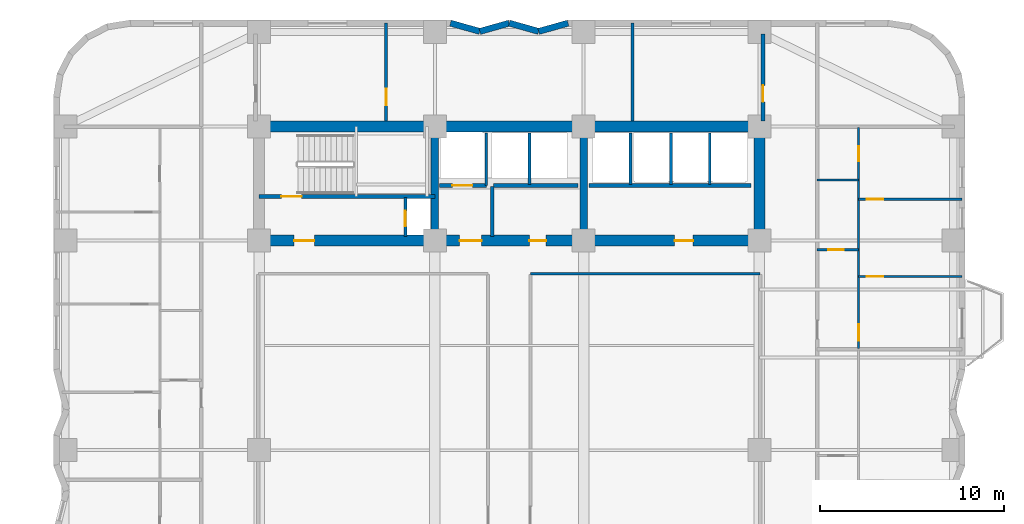
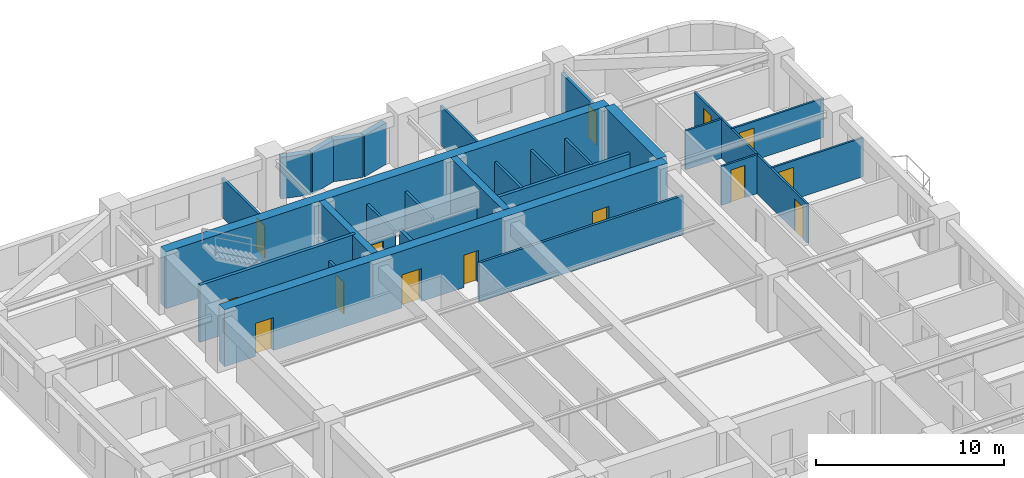
# One storey, part 6 of 9: 29 walls, 14 doors, 14 openings.
"""IFC4 building model written with IfcOpenShell, lengths in metres."""

from ifc_helpers import new_model, si_unit, direction, frame, frame_2d, origin, place, context, subcontext, project, spatial, rectangle, extrude, material, layer, layer_set, type_object, element, fill, save


model = new_model("IFC4")

# Units and contexts
model_context = context("Model", 3, precision=1e-05, world=origin(), true_north=direction((0.0, 1.0)))
body_context = subcontext(model_context, "Body", "Model", "MODEL_VIEW")
ifc_project = project(units=[si_unit("LENGTHUNIT", "METRE"), si_unit("AREAUNIT", "SQUARE_METRE"), si_unit("VOLUMEUNIT", "CUBIC_METRE"), si_unit("PLANEANGLEUNIT", "RADIAN"), si_unit("MASSUNIT", "GRAM", prefix="KILO")], contexts=[model_context])

# Site, building, storey
site_placement = place(None, origin())
site = spatial("IfcSite", under=ifc_project, at=site_placement, CompositionType="ELEMENT")
building_placement = place(site_placement, origin())
building = spatial("IfcBuilding", under=site, at=building_placement, Name="Svetorya Sky Lyceum", CompositionType="ELEMENT")
storey_placement = place(building_placement, frame((0.0, 0.0, 28.800048828125)))
storey = spatial("IfcBuildingStorey", under=building, at=storey_placement, Name="L06", CompositionType="ELEMENT", Elevation=28.800048828125)

# Walls
ifc_material_1 = material(Name="Concrete C40/50", Category="concrete")
ifc_layer_1 = layer(ifc_material_1, 0.39990234375)
ifc_layer_set_1 = layer_set([ifc_layer_1], Name="Concrete C40/50")
wall_type_1 = type_object("IfcWallType", Name="WL-CORE-400", PredefinedType="SHEAR", material=ifc_layer_set_1)
for number, where, z_axis, x_axis, name in (
    (1, (35.14990234375, 39.89990234375, 0.0), (0.0, 0.0, 1.0), (0.0, 1.0, 0.0), "L06 NC Internal Shear Web WEB1"),
    (2, (43.25, 39.89990234375, 0.0), (0.0, 0.0, 1.0), (0.0, 1.0, 0.0), "L06 NC Internal Shear Web WEB2"),
):
    element("IfcWall", number, at=place(storey_placement, frame(where, z_axis=z_axis, x_axis=x_axis)), inside=storey, type_object=wall_type_1, Name=name, PredefinedType="SHEAR", context=body_context, shape_type="SweptSolid", body=[
        extrude(rectangle(XDim=5.60009765625, YDim=0.39990234375, at=frame_2d((2.800048828125, 0.0))), origin(), (0.0, 0.0, 1.0), 3.699951171875),
    ])
ifc_material_2 = material(Name="Concrete C60/75", Category="concrete")
ifc_layer_2 = layer(ifc_material_2, 0.60009765625)
ifc_layer_set_2 = layer_set([ifc_layer_2], Name="Concrete C60/75")
wall_type_2 = type_object("IfcWallType", Name="WL-CORE-600", PredefinedType="SHEAR", material=ifc_layer_set_2)
wall_1_placement = place(storey_placement, frame((25.60009765625, 45.800048828125, 0.0), z_axis=(0.0, 0.0, 1.0), x_axis=(1.0, 0.0, 0.0)))
element("IfcWall", 3, at=wall_1_placement, inside=storey, type_object=wall_type_2, Name="L06 NC Outer Core Shear Wall", PredefinedType="SHEAR", context=body_context, shape_type="SweptSolid", body=[
    extrude(rectangle(XDim=27.199951171875, YDim=0.60009765625, at=frame_2d((13.60009765625, 0.0))), origin(), (0.0, 0.0, 1.0), 3.699951171875),
])
wall_2_placement = place(storey_placement, frame((52.800048828125, 39.89990234375, 0.0), z_axis=(0.0, 0.0, 1.0), x_axis=(0.0, 1.0, 0.0)))
element("IfcWall", 4, at=wall_2_placement, inside=storey, type_object=wall_type_2, Name="L06 NC East Core Shear Wall", PredefinedType="SHEAR", context=body_context, shape_type="SweptSolid", body=[
    extrude(rectangle(XDim=5.60009765625, YDim=0.60009765625, at=frame_2d((2.800048828125, 0.0))), origin(), (0.0, 0.0, 1.0), 3.699951171875),
])

# Wall, openings, doors
wall_3_placement = place(storey_placement, frame((52.800048828125, 39.60009765625, 0.0), z_axis=(0.0, 0.0, 1.0), x_axis=(-1.0, 0.0, 0.0)))
wall_3 = element("IfcWall", 5, at=wall_3_placement, inside=storey, type_object=wall_type_2, Name="L06 NC Inner Core Shear Wall", PredefinedType="SHEAR", context=body_context, shape_type="SweptSolid", body=[
    extrude(rectangle(XDim=27.199951171875, YDim=0.60009765625, at=frame_2d((13.60009765625, 0.0))), origin(), (0.0, 0.0, 1.0), 3.699951171875),
])
opening_1_placement = place(wall_3_placement, frame((24.199951171875, 0.0, 0.0)))
opening_1 = element("IfcOpeningElement", 6, at=opening_1_placement, cuts=wall_3, Name="Opening D-ST1", PredefinedType="OPENING", context=body_context, shape_type="SweptSolid", body=[
    extrude(rectangle(XDim=1.10009765625, YDim=2.14990234375, at=frame_2d((0.550048828125, 1.074951171875))), frame((0.0, 0.31005859375, 0.0), z_axis=(0.0, -1.0, 0.0), x_axis=(1.0, 0.0, 0.0)), (0.0, 0.0, 1.0), 0.6201171875),
])
opening_2_placement = place(wall_3_placement, frame((15.10009765625, 0.0, 0.0)))
opening_2 = element("IfcOpeningElement", 7, at=opening_2_placement, cuts=wall_3, Name="Opening D-FL1", PredefinedType="OPENING", context=body_context, shape_type="SweptSolid", body=[
    extrude(rectangle(XDim=1.199951171875, YDim=2.14990234375, at=frame_2d((0.60009765625, 1.074951171875))), frame((0.0, 0.31005859375, 0.0), z_axis=(0.0, -1.0, 0.0), x_axis=(1.0, 0.0, 0.0)), (0.0, 0.0, 1.0), 0.6201171875),
])
opening_3_placement = place(wall_3_placement, frame((11.60009765625, 0.0, 0.0)))
opening_3 = element("IfcOpeningElement", 8, at=opening_3_placement, cuts=wall_3, Name="Opening D-RM1", PredefinedType="OPENING", context=body_context, shape_type="SweptSolid", body=[
    extrude(rectangle(XDim=0.89990234375, YDim=2.10009765625, at=frame_2d((0.449951171875, 1.050048828125))), frame((0.0, 0.31005859375, 0.0), z_axis=(0.0, -1.0, 0.0), x_axis=(1.0, 0.0, 0.0)), (0.0, 0.0, 1.0), 0.6201171875),
])
opening_4_placement = place(wall_3_placement, frame((3.60009765625, 0.0, 0.0)))
opening_4 = element("IfcOpeningElement", 9, at=opening_4_placement, cuts=wall_3, Name="Opening D-RM2", PredefinedType="OPENING", context=body_context, shape_type="SweptSolid", body=[
    extrude(rectangle(XDim=1.0, YDim=2.14990234375, at=frame_2d((0.5, 1.074951171875))), frame((0.0, 0.31005859375, 0.0), z_axis=(0.0, -1.0, 0.0), x_axis=(1.0, 0.0, 0.0)), (0.0, 0.0, 1.0), 0.6201171875),
])
ifc_material_3 = material(Name="Powder-coated insulated galvanized stair fire door")
door_type_1 = type_object("IfcDoorType", Name="DR-FIRE-1100", OperationType="SINGLE_SWING_LEFT", PredefinedType="DOOR", material=ifc_material_3)
door_1_placement = place(opening_1_placement, origin())
door_1 = element("IfcDoor", 10, at=door_1_placement, inside=storey, type_object=door_type_1, Name="L06 North Stair Airlock Door", OperationType="SINGLE_SWING_LEFT", OverallHeight=2.14990234375, OverallWidth=1.10009765625, PredefinedType="DOOR", context=body_context, shape_type="SweptSolid", body=[
    extrude(rectangle(XDim=1.10009765625, YDim=2.14990234375, at=frame_2d((0.550048828125, 1.074951171875))), frame((0.0, 0.02490234375, 0.0), z_axis=(0.0, -1.0, 0.0), x_axis=(1.0, 0.0, 0.0)), (0.0, 0.0, 1.0), 0.050048828125),
])
fill(opening_1, door_1)
ifc_material_4 = material(Name="Powder-coated insulated galvanized fire door")
door_type_2 = type_object("IfcDoorType", Name="DR-FIRE-1200", OperationType="SINGLE_SWING_LEFT", PredefinedType="DOOR", material=ifc_material_4)
door_2_placement = place(opening_2_placement, origin())
door_2 = element("IfcDoor", 11, at=door_2_placement, inside=storey, type_object=door_type_2, Name="L06 North Firefighting Lift Lobby Door", OperationType="SINGLE_SWING_RIGHT", OverallHeight=2.14990234375, OverallWidth=1.199951171875, PredefinedType="DOOR", context=body_context, shape_type="SweptSolid", body=[
    extrude(rectangle(XDim=1.199951171875, YDim=2.14990234375, at=frame_2d((0.60009765625, 1.074951171875))), frame((0.0, 0.02490234375, 0.0), z_axis=(0.0, -1.0, 0.0), x_axis=(1.0, 0.0, 0.0)), (0.0, 0.0, 1.0), 0.050048828125),
])
fill(opening_2, door_2)
ifc_material_5 = material(Name="Solid-core oak acoustic room door")
door_type_3 = type_object("IfcDoorType", Name="DR-INT-1000", OperationType="SINGLE_SWING_LEFT", PredefinedType="DOOR", material=ifc_material_5)
door_3_placement = place(opening_4_placement, origin())
door_3 = element("IfcDoor", 12, at=door_3_placement, inside=storey, type_object=door_type_3, Name="L06 North Trunk Store Door", OperationType="SINGLE_SWING_LEFT", OverallHeight=2.14990234375, OverallWidth=1.0, PredefinedType="DOOR", context=body_context, shape_type="SweptSolid", body=[
    extrude(rectangle(XDim=1.0, YDim=2.14990234375, at=frame_2d((0.5, 1.074951171875))), frame((0.0, 0.02490234375, 0.0), z_axis=(0.0, -1.0, 0.0), x_axis=(1.0, 0.0, 0.0)), (0.0, 0.0, 1.0), 0.050048828125),
])
fill(opening_4, door_3)
ifc_material_6 = material(Name="Lacquered birch veneer internal door")
door_type_4 = type_object("IfcDoorType", Name="DR-INT-900", OperationType="SINGLE_SWING_LEFT", PredefinedType="DOOR", material=ifc_material_6)
door_4_placement = place(opening_3_placement, origin())
door_4 = element("IfcDoor", 13, at=door_4_placement, inside=storey, type_object=door_type_4, Name="L06 North Equipment Store Door", OperationType="SINGLE_SWING_LEFT", OverallHeight=2.10009765625, OverallWidth=0.89990234375, PredefinedType="DOOR", context=body_context, shape_type="SweptSolid", body=[
    extrude(rectangle(XDim=0.89990234375, YDim=2.10009765625, at=frame_2d((0.449951171875, 1.050048828125))), frame((0.0, 0.02490234375, 0.0), z_axis=(0.0, -1.0, 0.0), x_axis=(1.0, 0.0, 0.0)), (0.0, 0.0, 1.0), 0.050048828125),
])
fill(opening_3, door_4)

# Walls
ifc_material_7 = material(Name="Putilovo limestone rainscreen on autoclaved cellular masonry", Category="masonry")
ifc_layer_3 = layer(ifc_material_7, 0.340087890625)
ifc_layer_set_3 = layer_set([ifc_layer_3], Name="Putilovo limestone rainscreen on autoclaved cellular masonry")
wall_type_3 = type_object("IfcWallType", Name="WL-EXT-340", PredefinedType="SOLIDWALL", material=ifc_layer_set_3)
wall_4_placement = place(storey_placement, frame((42.39990234375, 51.429931640625, 0.0), z_axis=(0.0, 0.0, 1.0), x_axis=(-0.962652136636, -0.270741322725, 0.0)))
element("IfcWall", 14, at=wall_4_placement, inside=storey, type_object=wall_type_3, Name="L06 Limestone Exterior Wall 30M", PredefinedType="SOLIDWALL", context=body_context, shape_type="SweptSolid", body=[
    extrude(rectangle(XDim=1.661865234375, YDim=0.340087890625, at=frame_2d((0.8310546875, 0.0))), origin(), (0.0, 0.0, 1.0), 2.699951171875),
])
wall_5_placement = place(storey_placement, frame((40.800048828125, 50.97998046875, 0.0), z_axis=(0.0, 0.0, 1.0), x_axis=(-0.962662902433, 0.270703040766, 0.0)))
element("IfcWall", 15, at=wall_5_placement, inside=storey, type_object=wall_type_3, Name="L06 Limestone Exterior Wall 31M", PredefinedType="SOLIDWALL", context=body_context, shape_type="SweptSolid", body=[
    extrude(rectangle(XDim=1.662109375, YDim=0.340087890625, at=frame_2d((0.8310546875, 0.0))), origin(), (0.0, 0.0, 1.0), 2.699951171875),
])
wall_6_placement = place(storey_placement, frame((39.199951171875, 51.429931640625, 0.0), z_axis=(0.0, 0.0, 1.0), x_axis=(-0.962652136636, -0.270741322725, 0.0)))
element("IfcWall", 16, at=wall_6_placement, inside=storey, type_object=wall_type_3, Name="L06 Limestone Exterior Wall 32M", PredefinedType="SOLIDWALL", context=body_context, shape_type="SweptSolid", body=[
    extrude(rectangle(XDim=1.661865234375, YDim=0.340087890625, at=frame_2d((0.8310546875, 0.0))), origin(), (0.0, 0.0, 1.0), 2.699951171875),
])
wall_7_placement = place(storey_placement, frame((37.60009765625, 50.97998046875, 0.0), z_axis=(0.0, 0.0, 1.0), x_axis=(-0.962662902433, 0.270703040766, 0.0)))
element("IfcWall", 17, at=wall_7_placement, inside=storey, type_object=wall_type_3, Name="L06 Limestone Exterior Wall 33M", PredefinedType="SOLIDWALL", context=body_context, shape_type="SweptSolid", body=[
    extrude(rectangle(XDim=1.662109375, YDim=0.340087890625, at=frame_2d((0.8310546875, 0.0))), origin(), (0.0, 0.0, 1.0), 2.699951171875),
])

# Wall, opening, door
ifc_material_8 = material(Name="Twin-stud galvanized framing with double fireboard", Category="gypsum")
ifc_layer_4 = layer(ifc_material_8, 0.1201171875)
ifc_layer_set_4 = layer_set([ifc_layer_4], Name="Twin-stud galvanized framing with double fireboard")
wall_type_4 = type_object("IfcWallType", Name="WL-PART-120", PredefinedType="PARTITIONING", material=ifc_layer_set_4)
wall_8_placement = place(storey_placement, frame((55.949951171875, 39.10009765625, 0.0), z_axis=(0.0, 0.0, 1.0), x_axis=(1.0, 0.0, 0.0)))
wall_8 = element("IfcWall", 18, at=wall_8_placement, inside=storey, type_object=wall_type_4, Name="L06 Interior Partition E3-WH1", PredefinedType="PARTITIONING", context=body_context, shape_type="SweptSolid", body=[
    extrude(rectangle(XDim=2.25, YDim=0.1201171875, at=frame_2d((1.125, 0.0))), origin(), (0.0, 0.0, 1.0), 2.530029296875),
])
opening_5_placement = place(wall_8_placement, frame((0.60009765625, 0.0, 0.0)))
opening_5 = element("IfcOpeningElement", 19, at=opening_5_placement, cuts=wall_8, Name="Opening D-BT1", PredefinedType="OPENING", context=body_context, shape_type="SweptSolid", body=[
    extrude(rectangle(XDim=0.85009765625, YDim=2.10009765625, at=frame_2d((0.425048828125, 1.050048828125))), frame((0.0, 0.070068359375, 0.0), z_axis=(0.0, -1.0, 0.0), x_axis=(1.0, 0.0, 0.0)), (0.0, 0.0, 1.0), 0.14013671875),
])
ifc_material_9 = material(Name="Moisture-resistant laminate bathroom door")
door_type_5 = type_object("IfcDoorType", Name="DR-WET-850", OperationType="SINGLE_SWING_LEFT", PredefinedType="DOOR", material=ifc_material_9)
door_5_placement = place(opening_5_placement, origin())
door_5 = element("IfcDoor", 20, at=door_5_placement, inside=storey, type_object=door_type_5, Name="Apartment E3 Bathroom Door", OperationType="SINGLE_SWING_RIGHT", OverallHeight=2.10009765625, OverallWidth=0.85009765625, PredefinedType="DOOR", context=body_context, shape_type="SweptSolid", body=[
    extrude(rectangle(XDim=0.85009765625, YDim=2.10009765625, at=frame_2d((0.425048828125, 1.050048828125))), frame((0.0, 0.02490234375, 0.0), z_axis=(0.0, -1.0, 0.0), x_axis=(1.0, 0.0, 0.0)), (0.0, 0.0, 1.0), 0.050048828125),
])
fill(opening_5, door_5)

# Wall
wall_9_placement = place(storey_placement, frame((55.949951171875, 42.89990234375, 0.0), z_axis=(0.0, 0.0, 1.0), x_axis=(1.0, 0.0, 0.0)))
element("IfcWall", 21, at=wall_9_placement, inside=storey, type_object=wall_type_4, Name="L06 Interior Partition E3-WH2", PredefinedType="PARTITIONING", context=body_context, shape_type="SweptSolid", body=[
    extrude(rectangle(XDim=2.25, YDim=0.1201171875, at=frame_2d((1.125, 0.0))), origin(), (0.0, 0.0, 1.0), 2.530029296875),
])

# Wall, opening, door
wall_10_placement = place(storey_placement, frame((58.199951171875, 37.64990234375, 0.0), z_axis=(0.0, 0.0, 1.0), x_axis=(1.0, 0.0, 0.0)))
wall_10 = element("IfcWall", 22, at=wall_10_placement, inside=storey, type_object=wall_type_4, Name="L06 Interior Partition E3-WL1", PredefinedType="PARTITIONING", context=body_context, shape_type="SweptSolid", body=[
    extrude(rectangle(XDim=5.630126953125, YDim=0.1201171875, at=frame_2d((2.81494140625, 0.0))), origin(), (0.0, 0.0, 1.0), 2.530029296875),
])
opening_6_placement = place(wall_10_placement, frame((0.449951171875, 0.0, 0.0)))
opening_6 = element("IfcOpeningElement", 23, at=opening_6_placement, cuts=wall_10, Name="Opening D-RM1", PredefinedType="OPENING", context=body_context, shape_type="SweptSolid", body=[
    extrude(rectangle(XDim=0.89990234375, YDim=2.10009765625, at=frame_2d((0.449951171875, 1.050048828125))), frame((0.0, 0.070068359375, 0.0), z_axis=(0.0, -1.0, 0.0), x_axis=(1.0, 0.0, 0.0)), (0.0, 0.0, 1.0), 0.14013671875),
])
door_6_placement = place(opening_6_placement, origin())
door_6 = element("IfcDoor", 24, at=door_6_placement, inside=storey, type_object=door_type_4, Name="Apartment E3 Master Bedroom Door", OperationType="SINGLE_SWING_RIGHT", OverallHeight=2.10009765625, OverallWidth=0.89990234375, PredefinedType="DOOR", context=body_context, shape_type="SweptSolid", body=[
    extrude(rectangle(XDim=0.89990234375, YDim=2.10009765625, at=frame_2d((0.449951171875, 1.050048828125))), frame((0.0, 0.02490234375, 0.0), z_axis=(0.0, -1.0, 0.0), x_axis=(1.0, 0.0, 0.0)), (0.0, 0.0, 1.0), 0.050048828125),
])
fill(opening_6, door_6)

wall_11_placement = place(storey_placement, frame((58.199951171875, 41.85009765625, 0.0), z_axis=(0.0, 0.0, 1.0), x_axis=(1.0, 0.0, 0.0)))
wall_11 = element("IfcWall", 25, at=wall_11_placement, inside=storey, type_object=wall_type_4, Name="L06 Interior Partition E3-WL2", PredefinedType="PARTITIONING", context=body_context, shape_type="SweptSolid", body=[
    extrude(rectangle(XDim=5.630126953125, YDim=0.1201171875, at=frame_2d((2.81494140625, 0.0))), origin(), (0.0, 0.0, 1.0), 2.530029296875),
])
opening_7_placement = place(wall_11_placement, frame((0.449951171875, 0.0, 0.0)))
opening_7 = element("IfcOpeningElement", 26, at=opening_7_placement, cuts=wall_11, Name="Opening D-RM1", PredefinedType="OPENING", context=body_context, shape_type="SweptSolid", body=[
    extrude(rectangle(XDim=0.89990234375, YDim=2.10009765625, at=frame_2d((0.449951171875, 1.050048828125))), frame((0.0, 0.070068359375, 0.0), z_axis=(0.0, -1.0, 0.0), x_axis=(1.0, 0.0, 0.0)), (0.0, 0.0, 1.0), 0.14013671875),
])
door_7_placement = place(opening_7_placement, origin())
door_7 = element("IfcDoor", 27, at=door_7_placement, inside=storey, type_object=door_type_4, Name="Apartment E3 Bedroom 2 Door", OperationType="SINGLE_SWING_LEFT", OverallHeight=2.10009765625, OverallWidth=0.89990234375, PredefinedType="DOOR", context=body_context, shape_type="SweptSolid", body=[
    extrude(rectangle(XDim=0.89990234375, YDim=2.10009765625, at=frame_2d((0.449951171875, 1.050048828125))), frame((0.0, 0.02490234375, 0.0), z_axis=(0.0, -1.0, 0.0), x_axis=(1.0, 0.0, 0.0)), (0.0, 0.0, 1.0), 0.050048828125),
])
fill(opening_7, door_7)

# Wall, openings, doors
wall_12_placement = place(storey_placement, frame((58.199951171875, 33.739990234375, 0.0), z_axis=(0.0, 0.0, 1.0), x_axis=(0.0, 1.0, 0.0)))
wall_12 = element("IfcWall", 28, at=wall_12_placement, inside=storey, type_object=wall_type_4, Name="L06 Interior Partition E3-WV", PredefinedType="PARTITIONING", context=body_context, shape_type="SweptSolid", body=[
    extrude(rectangle(XDim=12.02001953125, YDim=0.1201171875, at=frame_2d((6.010009765625, 0.0))), origin(), (0.0, 0.0, 1.0), 2.530029296875),
])
opening_8_placement = place(wall_12_placement, frame((0.409912109375, 0.0, 0.0)))
opening_8 = element("IfcOpeningElement", 29, at=opening_8_placement, cuts=wall_12, Name="Opening D-RM1", PredefinedType="OPENING", context=body_context, shape_type="SweptSolid", body=[
    extrude(rectangle(XDim=0.89990234375, YDim=2.10009765625, at=frame_2d((0.449951171875, 1.050048828125))), frame((0.0, 0.070068359375, 0.0), z_axis=(0.0, -1.0, 0.0), x_axis=(1.0, 0.0, 0.0)), (0.0, 0.0, 1.0), 0.14013671875),
])
opening_9_placement = place(wall_12_placement, frame((10.18505859375, 0.0, 0.0)))
opening_9 = element("IfcOpeningElement", 30, at=opening_9_placement, cuts=wall_12, Name="Opening D-BT2", PredefinedType="OPENING", context=body_context, shape_type="SweptSolid", body=[
    extrude(rectangle(XDim=0.820068359375, YDim=2.080078125, at=frame_2d((0.41015625, 1.0400390625))), frame((0.0, 0.070068359375, 0.0), z_axis=(0.0, -1.0, 0.0), x_axis=(1.0, 0.0, 0.0)), (0.0, 0.0, 1.0), 0.14013671875),
])
door_8_placement = place(opening_8_placement, origin())
door_8 = element("IfcDoor", 31, at=door_8_placement, inside=storey, type_object=door_type_4, Name="Apartment E3 Living Door", OperationType="SINGLE_SWING_LEFT", OverallHeight=2.10009765625, OverallWidth=0.89990234375, PredefinedType="DOOR", context=body_context, shape_type="SweptSolid", body=[
    extrude(rectangle(XDim=0.89990234375, YDim=2.10009765625, at=frame_2d((0.449951171875, 1.050048828125))), frame((0.0, 0.02490234375, 0.0), z_axis=(0.0, -1.0, 0.0), x_axis=(1.0, 0.0, 0.0)), (0.0, 0.0, 1.0), 0.050048828125),
])
fill(opening_8, door_8)
ifc_material_10 = material(Name="Compact moisture-resistant laminate closet door")
door_type_6 = type_object("IfcDoorType", Name="DR-WET-820", OperationType="SINGLE_SWING_LEFT", PredefinedType="DOOR", material=ifc_material_10)
door_9_placement = place(opening_9_placement, origin())
door_9 = element("IfcDoor", 32, at=door_9_placement, inside=storey, type_object=door_type_6, Name="Apartment E3 Study Door", OperationType="SINGLE_SWING_RIGHT", OverallHeight=2.080078125, OverallWidth=0.820068359375, PredefinedType="DOOR", context=body_context, shape_type="SweptSolid", body=[
    extrude(rectangle(XDim=0.820068359375, YDim=2.080078125, at=frame_2d((0.41015625, 1.0400390625))), frame((0.0, 0.02490234375, 0.0), z_axis=(0.0, -1.0, 0.0), x_axis=(1.0, 0.0, 0.0)), (0.0, 0.0, 1.0), 0.050048828125),
])
fill(opening_9, door_9)

# Wall, opening, door
ifc_material_11 = material(Name="Autoclaved cellular masonry blockwork with acoustic render", Category="masonry")
ifc_layer_5 = layer(ifc_material_11, 0.14990234375)
ifc_layer_set_5 = layer_set([ifc_layer_5], Name="Autoclaved cellular masonry blockwork with acoustic render")
wall_type_5 = type_object("IfcWallType", Name="WL-PART-150", PredefinedType="PARTITIONING", material=ifc_layer_set_5)
wall_13_placement = place(storey_placement, frame((33.550048828125, 39.820068359375, 0.0), z_axis=(0.0, 0.0, 1.0), x_axis=(0.0, 1.0, 0.0)))
wall_13 = element("IfcWall", 33, at=wall_13_placement, inside=storey, type_object=wall_type_5, Name="L06 Interior Partition NC-RSRW", PredefinedType="PARTITIONING", context=body_context, shape_type="SweptSolid", body=[
    extrude(rectangle(XDim=2.1298828125, YDim=0.14990234375, at=frame_2d((1.06494140625, 0.0))), origin(), (0.0, 0.0, 1.0), 2.530029296875),
])
opening_10_placement = place(wall_13_placement, frame((0.550048828125, 0.0, 0.0)))
opening_10 = element("IfcOpeningElement", 34, at=opening_10_placement, cuts=wall_13, Name="Opening D-SH1", PredefinedType="OPENING", context=body_context, shape_type="SweptSolid", body=[
    extrude(rectangle(XDim=0.85009765625, YDim=2.050048828125, at=frame_2d((0.425048828125, 1.02490234375))), frame((0.0, 0.0849609375, 0.0), z_axis=(0.0, -1.0, 0.0), x_axis=(1.0, 0.0, 0.0)), (0.0, 0.0, 1.0), 0.169921875),
])
ifc_material_12 = material(Name="Insulated galvanized riser inspection fire door")
door_type_7 = type_object("IfcDoorType", Name="DR-SHFT-850", OperationType="SINGLE_SWING_LEFT", PredefinedType="TRAPDOOR", material=ifc_material_12)
door_10_placement = place(opening_10_placement, origin())
door_10 = element("IfcDoor", 35, at=door_10_placement, inside=storey, type_object=door_type_7, Name="L06 North Riser Access Door", OperationType="SINGLE_SWING_LEFT", OverallHeight=2.050048828125, OverallWidth=0.85009765625, PredefinedType="TRAPDOOR", context=body_context, shape_type="SweptSolid", body=[
    extrude(rectangle(XDim=0.85009765625, YDim=2.050048828125, at=frame_2d((0.425048828125, 1.02490234375))), frame((0.0, 0.02490234375, 0.0), z_axis=(0.0, -1.0, 0.0), x_axis=(1.0, 0.0, 0.0)), (0.0, 0.0, 1.0), 0.050048828125),
])
fill(opening_10, door_10)

# Walls
wall_14_placement = place(storey_placement, frame((37.949951171875, 42.60009765625, 0.0), z_axis=(0.0, 0.0, 1.0), x_axis=(0.0, 1.0, 0.0)))
element("IfcWall", 36, at=wall_14_placement, inside=storey, type_object=wall_type_5, Name="L06 Interior Partition NC-FL1SIDE", PredefinedType="PARTITIONING", context=body_context, shape_type="SweptSolid", body=[
    extrude(rectangle(XDim=2.849853515625, YDim=0.14990234375, at=frame_2d((1.4248046875, 0.0))), origin(), (0.0, 0.0, 1.0), 2.530029296875),
])
for number, where, z_axis, x_axis, name in (
    (37, (40.300048828125, 42.64990234375, 0.0), (0.0, 0.0, 1.0), (0.0, 1.0, 0.0), "L06 Interior Partition NC-PM-D1"),
    (38, (45.800048828125, 42.64990234375, 0.0), (0.0, 0.0, 1.0), (0.0, 1.0, 0.0), "L06 Interior Partition NC-PM3-D"),
    (39, (48.0, 42.64990234375, 0.0), (0.0, 0.0, 1.0), (0.0, 1.0, 0.0), "L06 Interior Partition NC-PH-D1"),
    (40, (50.10009765625, 42.64990234375, 0.0), (0.0, 0.0, 1.0), (0.0, 1.0, 0.0), "L06 Interior Partition NC-PH-D2"),
):
    element("IfcWall", number, at=place(storey_placement, frame(where, z_axis=z_axis, x_axis=x_axis)), inside=storey, type_object=wall_type_5, Name=name, PredefinedType="PARTITIONING", context=body_context, shape_type="SweptSolid", body=[
        extrude(rectangle(XDim=2.800048828125, YDim=0.14990234375, at=frame_2d((1.39990234375, 0.0))), origin(), (0.0, 0.0, 1.0), 2.530029296875),
    ])
wall_15_placement = place(storey_placement, frame((40.35009765625, 37.800048828125, 0.0), z_axis=(0.0, 0.0, 1.0), x_axis=(1.0, 0.0, 0.0)))
element("IfcWall", 41, at=wall_15_placement, inside=storey, type_object=wall_type_5, Name="L06 Interior Partition CN-MID-E", PredefinedType="PARTITIONING", context=body_context, shape_type="SweptSolid", body=[
    extrude(rectangle(XDim=12.5, YDim=0.14990234375, at=frame_2d((6.25, 0.0))), origin(), (0.0, 0.0, 1.0), 2.530029296875),
])

# Wall, opening, door
wall_16_placement = place(storey_placement, frame((32.5, 46.10009765625, 0.0), z_axis=(0.0, 0.0, 1.0), x_axis=(0.0, 1.0, 0.0)))
wall_16 = element("IfcWall", 42, at=wall_16_placement, inside=storey, type_object=wall_type_5, Name="L06 Interior Partition N-D1", PredefinedType="PARTITIONING", context=body_context, shape_type="SweptSolid", body=[
    extrude(rectangle(XDim=5.329833984375, YDim=0.14990234375, at=frame_2d((2.6650390625, 0.0))), origin(), (0.0, 0.0, 1.0), 2.530029296875),
])
opening_11_placement = place(wall_16_placement, frame((0.85009765625, 0.0, 0.0)))
opening_11 = element("IfcOpeningElement", 43, at=opening_11_placement, cuts=wall_16, Name="Opening D-RM1", PredefinedType="OPENING", context=body_context, shape_type="SweptSolid", body=[
    extrude(rectangle(XDim=0.89990234375, YDim=2.10009765625, at=frame_2d((0.449951171875, 1.050048828125))), frame((0.0, 0.0849609375, 0.0), z_axis=(0.0, -1.0, 0.0), x_axis=(1.0, 0.0, 0.0)), (0.0, 0.0, 1.0), 0.169921875),
])
door_11_placement = place(opening_11_placement, origin())
door_11 = element("IfcDoor", 44, at=door_11_placement, inside=storey, type_object=door_type_4, Name="L06 North Store Door", OperationType="SINGLE_SWING_RIGHT", OverallHeight=2.10009765625, OverallWidth=0.89990234375, PredefinedType="DOOR", context=body_context, shape_type="SweptSolid", body=[
    extrude(rectangle(XDim=0.89990234375, YDim=2.10009765625, at=frame_2d((0.449951171875, 1.050048828125))), frame((0.0, 0.02490234375, 0.0), z_axis=(0.0, -1.0, 0.0), x_axis=(1.0, 0.0, 0.0)), (0.0, 0.0, 1.0), 0.050048828125),
])
fill(opening_11, door_11)

# Wall
wall_17_placement = place(storey_placement, frame((45.89990234375, 46.10009765625, 0.0), z_axis=(0.0, 0.0, 1.0), x_axis=(0.0, 1.0, 0.0)))
element("IfcWall", 45, at=wall_17_placement, inside=storey, type_object=wall_type_5, Name="L06 Interior Partition N-D2", PredefinedType="PARTITIONING", context=body_context, shape_type="SweptSolid", body=[
    extrude(rectangle(XDim=5.329833984375, YDim=0.14990234375, at=frame_2d((2.6650390625, 0.0))), origin(), (0.0, 0.0, 1.0), 2.530029296875),
])

# Wall, opening, door
ifc_material_13 = material(Name="Autoclaved cellular masonry blockwork with gypsum plaster", Category="masonry")
ifc_layer_6 = layer(ifc_material_13, 0.199951171875)
ifc_layer_set_6 = layer_set([ifc_layer_6], Name="Autoclaved cellular masonry blockwork with gypsum plaster")
wall_type_6 = type_object("IfcWallType", Name="WL-PART-200", PredefinedType="PARTITIONING", material=ifc_layer_set_6)
wall_18_placement = place(storey_placement, frame((37.949951171875, 42.60009765625, 0.0), z_axis=(0.0, 0.0, 1.0), x_axis=(-1.0, 0.0, 0.0)))
wall_18 = element("IfcWall", 46, at=wall_18_placement, inside=storey, type_object=wall_type_6, Name="L06 Interior Partition NC-FL1W", PredefinedType="PARTITIONING", context=body_context, shape_type="SweptSolid", body=[
    extrude(rectangle(XDim=2.550048828125, YDim=0.199951171875, at=frame_2d((1.27490234375, 0.0))), origin(), (0.0, 0.0, 1.0), 2.300048828125),
])
opening_12_placement = place(wall_18_placement, frame((0.75, 0.0, 0.0)))
opening_12 = element("IfcOpeningElement", 47, at=opening_12_placement, cuts=wall_18, Name="Opening LD-FL", PredefinedType="OPENING", context=body_context, shape_type="SweptSolid", body=[
    extrude(rectangle(XDim=1.10009765625, YDim=2.14990234375, at=frame_2d((0.550048828125, 1.074951171875))), frame((0.0, 0.10986328125, 0.0), z_axis=(0.0, -1.0, 0.0), x_axis=(1.0, 0.0, 0.0)), (0.0, 0.0, 1.0), 0.219970703125),
])
ifc_material_14 = material(Name="Fire-rated stainless AISI 304 firefighting lift landing door")
door_type_8 = type_object("IfcDoorType", Name="DR-LIFT-1100", OperationType="SLIDING_TO_LEFT", PredefinedType="DOOR", material=ifc_material_14)
door_12_placement = place(opening_12_placement, origin())
door_12 = element("IfcDoor", 48, at=door_12_placement, inside=storey, type_object=door_type_8, Name="L06 Firefighting Lift FL1 Landing Door", OperationType="SLIDING_TO_LEFT", OverallHeight=2.14990234375, OverallWidth=1.10009765625, PredefinedType="DOOR", context=body_context, shape_type="SweptSolid", body=[
    extrude(rectangle(XDim=1.10009765625, YDim=2.14990234375, at=frame_2d((0.550048828125, 1.074951171875))), frame((0.0, 0.02490234375, 0.0), z_axis=(0.0, -1.0, 0.0), x_axis=(1.0, 0.0, 0.0)), (0.0, 0.0, 1.0), 0.050048828125),
])
fill(opening_12, door_12)

# Walls
wall_19_placement = place(storey_placement, frame((38.280029296875, 39.820068359375, 0.0), z_axis=(0.0, 0.0, 1.0), x_axis=(0.0, 1.0, 0.0)))
element("IfcWall", 49, at=wall_19_placement, inside=storey, type_object=wall_type_6, Name="L06 Interior Partition NC-FFLDIV", PredefinedType="PARTITIONING", context=body_context, shape_type="SweptSolid", body=[
    extrude(rectangle(XDim=2.72998046875, YDim=0.199951171875, at=frame_2d((1.364990234375, 0.0))), origin(), (0.0, 0.0, 1.0), 2.530029296875),
])
wall_20_placement = place(storey_placement, frame((42.949951171875, 42.60009765625, 0.0), z_axis=(0.0, 0.0, 1.0), x_axis=(-1.0, 0.0, 0.0)))
element("IfcWall", 50, at=wall_20_placement, inside=storey, type_object=wall_type_6, Name="L06 Interior Partition NC-PM12W", PredefinedType="PARTITIONING", context=body_context, shape_type="SweptSolid", body=[
    extrude(rectangle(XDim=4.599853515625, YDim=0.199951171875, at=frame_2d((2.2998046875, 0.0))), origin(), (0.0, 0.0, 1.0), 2.300048828125),
])
wall_21_placement = place(storey_placement, frame((52.35009765625, 42.60009765625, 0.0), z_axis=(0.0, 0.0, 1.0), x_axis=(-1.0, 0.0, 0.0)))
element("IfcWall", 51, at=wall_21_placement, inside=storey, type_object=wall_type_6, Name="L06 Interior Partition NC-PHEW", PredefinedType="PARTITIONING", context=body_context, shape_type="SweptSolid", body=[
    extrude(rectangle(XDim=8.800048828125, YDim=0.199951171875, at=frame_2d((4.39990234375, 0.0))), origin(), (0.0, 0.0, 1.0), 2.530029296875),
])

# Wall, opening, door
wall_22_placement = place(storey_placement, frame((53.0, 46.10009765625, 0.0), z_axis=(0.0, 0.0, 1.0), x_axis=(0.0, 1.0, 0.0)))
wall_22 = element("IfcWall", 52, at=wall_22_placement, inside=storey, type_object=wall_type_6, Name="L06 Interior Partition N-EE", PredefinedType="PARTITIONING", context=body_context, shape_type="SweptSolid", body=[
    extrude(rectangle(XDim=4.72998046875, YDim=0.199951171875, at=frame_2d((2.364990234375, 0.0))), origin(), (0.0, 0.0, 1.0), 2.530029296875),
])
opening_13_placement = place(wall_22_placement, frame((1.050048828125, 0.0, 0.0)))
opening_13 = element("IfcOpeningElement", 53, at=opening_13_placement, cuts=wall_22, Name="Opening D-RM1", PredefinedType="OPENING", context=body_context, shape_type="SweptSolid", body=[
    extrude(rectangle(XDim=0.89990234375, YDim=2.10009765625, at=frame_2d((0.449951171875, 1.050048828125))), frame((0.0, 0.10986328125, 0.0), z_axis=(0.0, -1.0, 0.0), x_axis=(1.0, 0.0, 0.0)), (0.0, 0.0, 1.0), 0.219970703125),
])
door_13_placement = place(opening_13_placement, origin())
door_13 = element("IfcDoor", 54, at=door_13_placement, inside=storey, type_object=door_type_4, Name="L06 North Meeting Door", OperationType="SINGLE_SWING_LEFT", OverallHeight=2.10009765625, OverallWidth=0.89990234375, PredefinedType="DOOR", context=body_context, shape_type="SweptSolid", body=[
    extrude(rectangle(XDim=0.89990234375, YDim=2.10009765625, at=frame_2d((0.449951171875, 1.050048828125))), frame((0.0, 0.02490234375, 0.0), z_axis=(0.0, -1.0, 0.0), x_axis=(1.0, 0.0, 0.0)), (0.0, 0.0, 1.0), 0.050048828125),
])
fill(opening_13, door_13)

ifc_material_15 = material(Name="Concrete C50/60", Category="concrete")
ifc_layer_7 = layer(ifc_material_15, 0.199951171875)
ifc_layer_set_7 = layer_set([ifc_layer_7], Name="Concrete C50/60")
wall_type_7 = type_object("IfcWallType", Name="WL-SHW-200", PredefinedType="SHEAR", material=ifc_layer_set_7)
wall_23_placement = place(storey_placement, frame((35.14990234375, 42.0, 0.0), z_axis=(0.0, 0.0, 1.0), x_axis=(-1.0, 0.0, 0.0)))
wall_23 = element("IfcWall", 55, at=wall_23_placement, inside=storey, type_object=wall_type_7, Name="L06 Structural Stair Shaft Wall NC-STW", PredefinedType="SHEAR", context=body_context, shape_type="SweptSolid", body=[
    extrude(rectangle(XDim=9.5498046875, YDim=0.199951171875, at=frame_2d((4.77490234375, 0.0))), origin(), (0.0, 0.0, 1.0), 3.699951171875),
])
opening_14_placement = place(wall_23_placement, frame((7.25, 0.0, 0.0)))
opening_14 = element("IfcOpeningElement", 56, at=opening_14_placement, cuts=wall_23, Name="Opening D-ST1", PredefinedType="OPENING", context=body_context, shape_type="SweptSolid", body=[
    extrude(rectangle(XDim=1.10009765625, YDim=2.14990234375, at=frame_2d((0.550048828125, 1.074951171875))), frame((0.0, 0.10986328125, 0.0), z_axis=(0.0, -1.0, 0.0), x_axis=(1.0, 0.0, 0.0)), (0.0, 0.0, 1.0), 0.219970703125),
])
door_14_placement = place(opening_14_placement, origin())
door_14 = element("IfcDoor", 57, at=door_14_placement, inside=storey, type_object=door_type_1, Name="L06 Stair ST-N Vestibule Fire Door", OperationType="SINGLE_SWING_RIGHT", OverallHeight=2.14990234375, OverallWidth=1.10009765625, PredefinedType="DOOR", context=body_context, shape_type="SweptSolid", body=[
    extrude(rectangle(XDim=1.10009765625, YDim=2.14990234375, at=frame_2d((0.550048828125, 1.074951171875))), frame((0.0, 0.02490234375, 0.0), z_axis=(0.0, -1.0, 0.0), x_axis=(1.0, 0.0, 0.0)), (0.0, 0.0, 1.0), 0.050048828125),
])
fill(opening_14, door_14)

save(model, "model.ifc")
